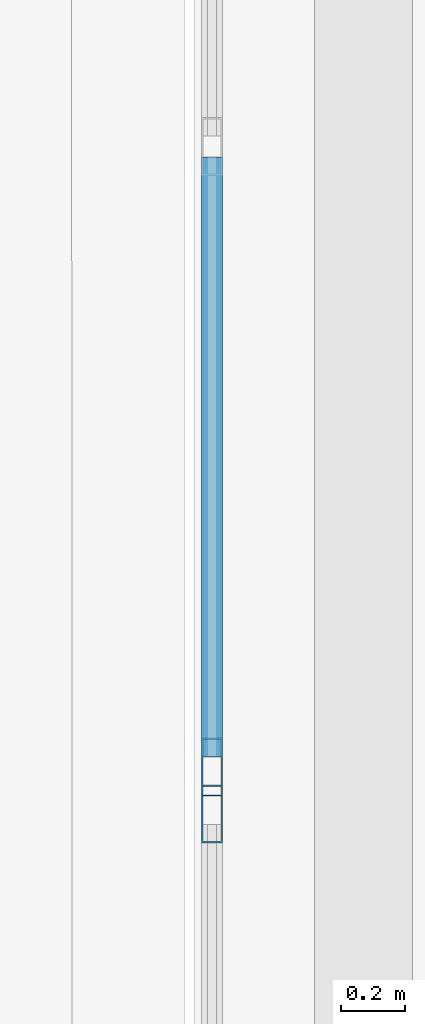
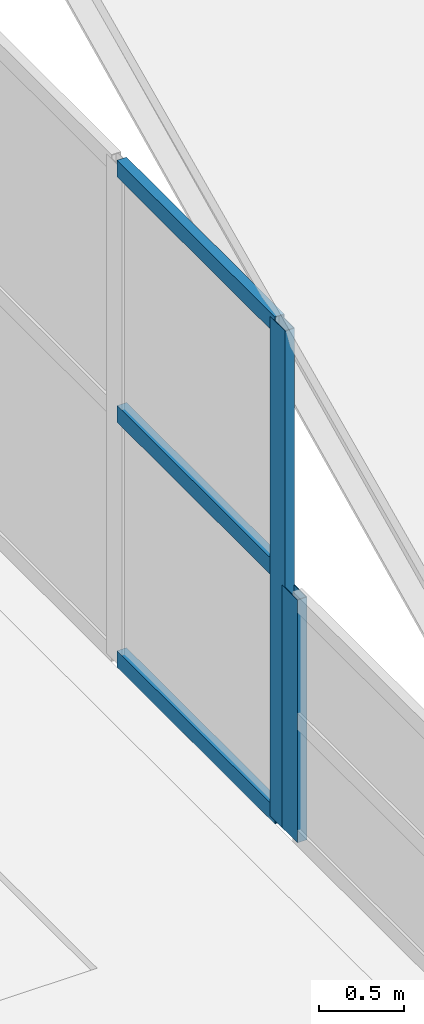
# One storey, part 33 of 184: 5 members, 2 elements without a shape of their own.
"""IFC4 building model written with IfcOpenShell, lengths in metres."""

import ifcopenshell
import ifcopenshell.guid

model = None  # the IFC model being written
_history = None  # IfcOwnerHistory: only IFC2X3 demands one
_inside = {}  # id of a spatial element -> (the spatial element, [elements in it])
_under = {}  # id of a project, library or spatial element -> (it, [spatial elements below it])
_declared = {}  # id of a project -> (the project, [libraries it declares])
_typed = {}  # id of a type object -> (the type object, [elements of that type])
_made_of = {}  # id of a material, layer set ... -> (it, [elements and type objects made of it])


def new_model(schema):
    """Start an empty IFC model of exactly this schema.

    Asked for "IFC4X3", IfcOpenShell would pick the latest addendum, in which some entities
    have other attributes; the version numbers below select the first issue.
    IFC2X3 requires an IfcOwnerHistory on every rooted entity: one is made here for all.
    """
    global model, _history
    if schema == "IFC4X3":
        model = ifcopenshell.file(schema_version=(4, 3, 0, 0))
    else:
        model = ifcopenshell.file(schema=schema)
    _inside.clear()
    _under.clear()
    _declared.clear()
    _typed.clear()
    _made_of.clear()
    _history = None
    if model.schema == "IFC2X3":
        org = make("IfcOrganization", Name="unknown")
        user = make(
            "IfcPersonAndOrganization",
            ThePerson=make("IfcPerson", FamilyName="unknown"),
            TheOrganization=org,
        )
        app = make(
            "IfcApplication",
            ApplicationDeveloper=org,
            Version="unknown",
            ApplicationFullName="unknown",
            ApplicationIdentifier="unknown",
        )
        _history = make(
            "IfcOwnerHistory",
            OwningUser=user,
            OwningApplication=app,
            ChangeAction="ADDED",
            CreationDate=0,
        )
    return model


def make(cls, **values):
    """One entity of the class cls with the attributes given. An attribute that is None is left unset."""
    return model.create_entity(
        cls, **{name: value for name, value in values.items() if value is not None}
    )


def rooted(cls, **values):
    """An entity with a GlobalId (a new one), such as an element, a storey or a relation."""
    return make(cls, GlobalId=ifcopenshell.guid.new(), OwnerHistory=_history, **values)


def si_unit(unit_type, name, prefix=None):
    """IfcSIUnit, for example si_unit("LENGTHUNIT", "METRE", prefix="MILLI")."""
    return make("IfcSIUnit", UnitType=unit_type, Prefix=prefix, Name=name)


def assignment(units):
    """IfcUnitAssignment: the units of a project."""
    return None if units is None else make("IfcUnitAssignment", Units=units)


def point(xyz):
    """IfcCartesianPoint."""
    return None if xyz is None else make("IfcCartesianPoint", Coordinates=xyz)


def direction(xyz):
    """IfcDirection."""
    return None if xyz is None else make("IfcDirection", DirectionRatios=xyz)


def frame(location, z_axis=None, x_axis=None):
    """IfcAxis2Placement3D, a coordinate frame: its origin and axes. An axis left out is left unset."""
    return make(
        "IfcAxis2Placement3D",
        Location=point(location),
        Axis=direction(z_axis),
        RefDirection=direction(x_axis),
    )


def frame_2d(location, x_axis=None):
    """IfcAxis2Placement2D, a coordinate frame in the plane: its origin and x axis."""
    return make(
        "IfcAxis2Placement2D", Location=point(location), RefDirection=direction(x_axis)
    )


def origin():
    """The frame at (0, 0, 0) with its axes left unset."""
    return frame((0.0, 0.0, 0.0))


def origin_2d():
    """The frame at (0, 0) in the plane with its x axis left unset."""
    return frame_2d((0.0, 0.0))


def place(relative_to, where):
    """IfcLocalPlacement: puts the frame where relative to a parent placement (None: the world)."""
    return make(
        "IfcLocalPlacement", PlacementRelTo=relative_to, RelativePlacement=where
    )


def context(
    kind, dimensions, precision=None, world=None, true_north=None, identifier=None
):
    """IfcGeometricRepresentationContext, for example the 3D "Model" context."""
    return make(
        "IfcGeometricRepresentationContext",
        ContextIdentifier=identifier,
        ContextType=kind,
        CoordinateSpaceDimension=dimensions,
        Precision=precision,
        WorldCoordinateSystem=world,
        TrueNorth=true_north,
    )


def subcontext(parent, identifier, kind, view, scale=None):
    """IfcGeometricRepresentationSubContext, for example "Body" below "Model"."""
    return make(
        "IfcGeometricRepresentationSubContext",
        ContextIdentifier=identifier,
        ContextType=kind,
        ParentContext=parent,
        TargetScale=scale,
        TargetView=view,
    )


def project(units=None, contexts=None):
    """IfcProject with its units and contexts."""
    return rooted(
        "IfcProject",
        Name="project",
        RepresentationContexts=contexts,
        UnitsInContext=assignment(units),
    )


def spatial(cls, under=None, at=None, **own):
    """A site, building, storey or space (cls), placed at a placement, below another one or the project."""
    s = rooted(cls, ObjectPlacement=at, **own)
    if under is not None:
        _under.setdefault(under.id(), (under, []))[1].append(s)
    return s


def profile(cls, at=None, kind="AREA", **sizes):
    """A parametric profile (cls). Its sizes go by their IFC names, for example OverallWidth=200.0."""
    return make(cls, ProfileType=kind, Position=at, **sizes)


def hollow_rectangle(**sizes):
    """IfcRectangleHollowProfileDef."""
    return profile("IfcRectangleHollowProfileDef", **sizes)


def extrude(swept, where, along, depth):
    """IfcExtrudedAreaSolid: the profile swept, set in the frame where, extruded along a direction by depth."""
    return make(
        "IfcExtrudedAreaSolid",
        SweptArea=swept,
        Position=where,
        ExtrudedDirection=direction(along),
        Depth=depth,
    )


def shape(context_of_items, identifier, shape_type, items):
    """IfcShapeRepresentation: the items that make up one representation, for example the "Body"."""
    return make(
        "IfcShapeRepresentation",
        ContextOfItems=context_of_items,
        RepresentationIdentifier=identifier,
        RepresentationType=shape_type,
        Items=items,
    )


def material(Name=None, Category=None):
    """IfcMaterial."""
    return make("IfcMaterial", Name=Name, Category=Category)


def material_profile(
    of_material, cross_section, Name=None, Category=None, Priority=None
):
    """IfcMaterialProfile: a cross section and its material."""
    return make(
        "IfcMaterialProfile",
        Name=Name,
        Material=of_material,
        Profile=cross_section,
        Priority=Priority,
        Category=Category,
    )


def profile_set(profiles, Name=None, composite=None):
    """IfcMaterialProfileSet."""
    return make(
        "IfcMaterialProfileSet",
        Name=Name,
        MaterialProfiles=profiles,
        CompositeProfile=composite,
    )


def made_of(thing, what):
    """Note that an element or type object is made of a material, layer set ...; save() writes the relation."""
    if what is not None:
        _made_of.setdefault(what.id(), (what, []))[1].append(thing)
    return thing


def type_object(cls, material=None, **own):
    """A type object (cls), such as IfcWallType, which elements share."""
    return made_of(rooted(cls, **own), material)


def element(
    cls,
    number,
    at=None,
    inside=None,
    cuts=None,
    type_object=None,
    material=None,
    context=None,
    identifier="Body",
    shape_type=None,
    held_by="IfcProductDefinitionShape",
    body=None,
    shapes=None,
    **own,
):
    """One element of the class cls, such as IfcWall. Its Tag is "e" and its number.

    at: its placement. inside: the storey or other place that contains it. cuts: it is an
    opening in that element (IfcRelVoidsElement). A single representation is given by context,
    identifier, shape_type and body (its items); several are given by shapes. held_by: the class
    of the entity that holds the representations. save() writes the other relations.
    """
    e = rooted(cls, Tag="e%d" % number, ObjectPlacement=at, **own)
    if body is not None:
        shapes = [shape(context, identifier, shape_type, body)]
    if shapes is not None:
        e.Representation = make(held_by, Representations=shapes)
    if inside is not None:
        _inside.setdefault(inside.id(), (inside, []))[1].append(e)
    if cuts is not None:
        rooted(
            "IfcRelVoidsElement", RelatingBuildingElement=cuts, RelatedOpeningElement=e
        )
    if type_object is not None:
        _typed.setdefault(type_object.id(), (type_object, []))[1].append(e)
    return made_of(e, material)


def aggregate(whole, parts):
    """IfcRelAggregates: a whole, such as a stair, and the parts it consists of."""
    return rooted("IfcRelAggregates", RelatingObject=whole, RelatedObjects=parts)


def save(model, path):
    """Write the relations noted so far, then the file.

    IfcRelAggregates (storeys below a building ...), IfcRelContainedInSpatialStructure (elements
    in a storey), IfcRelDefinesByType, IfcRelAssociatesMaterial and IfcRelDeclares: one each for
    every whole, place, type object, material and project.
    """
    for whole, parts in _under.values():
        aggregate(whole, parts)
    for where, things in _inside.values():
        rooted(
            "IfcRelContainedInSpatialStructure",
            RelatedElements=things,
            RelatingStructure=where,
        )
    for kind, things in _typed.values():
        rooted("IfcRelDefinesByType", RelatedObjects=things, RelatingType=kind)
    for what, things in _made_of.values():
        rooted("IfcRelAssociatesMaterial", RelatedObjects=things, RelatingMaterial=what)
    for by, libraries in _declared.values():
        rooted("IfcRelDeclares", RelatingContext=by, RelatedDefinitions=libraries)
    model.write(path)


model = new_model("IFC4")

# Units and contexts
model_context = context("Model", 3, precision=1e-05, world=origin(), true_north=direction((0.0, 1.0)))
body_context = subcontext(model_context, "Body", "Model", "MODEL_VIEW")
ifc_project = project(units=[si_unit("LENGTHUNIT", "METRE"), si_unit("AREAUNIT", "SQUARE_METRE"), si_unit("VOLUMEUNIT", "CUBIC_METRE"), si_unit("PLANEANGLEUNIT", "RADIAN"), si_unit("MASSUNIT", "GRAM", prefix="KILO")], contexts=[model_context])

# Site, building, storey
site_placement = place(None, origin())
site = spatial("IfcSite", under=ifc_project, at=site_placement, CompositionType="ELEMENT")
building_placement = place(site_placement, origin())
building = spatial("IfcBuilding", under=site, at=building_placement, Name="Selatvlak General Hospital", CompositionType="ELEMENT")
storey_placement = place(building_placement, frame((0.0, 0.0, 15.0)))
storey = spatial("IfcBuildingStorey", under=building, at=storey_placement, Name="L03", CompositionType="ELEMENT", Elevation=15.0)

# Curtain wall, member
ifc_material_1 = material(Name="Solar-control Low-E double glazing", Category="glass")
curtain_wall_type = type_object("IfcCurtainWallType", Name="CW-CW-05", PredefinedType="USERDEFINED", material=ifc_material_1)
curtain_wall_1_placement = place(storey_placement, origin())
curtain_wall_1 = element("IfcCurtainWall", 1, at=curtain_wall_1_placement, inside=storey, type_object=curtain_wall_type, Name="Glazed facade curtain wall CW-L03-0723", ObjectType="STICK GLAZING WALL", PredefinedType="USERDEFINED")
ifc_material_2 = material(Name="Dark anodised aluminium mullion", Category="aluminium")
ifc_material_profile_1 = material_profile(ifc_material_2, hollow_rectangle(XDim=0.06494140625, YDim=0.179931640625, WallThickness=0.00439453125, at=origin_2d()), Name="AL-MUL 65x180x4.5")
ifc_profile_set_1 = profile_set([ifc_material_profile_1], Name="Dark anodised aluminium mullion")
member_type_1 = type_object("IfcMemberType", Name="CWM-02", PredefinedType="MULLION", material=ifc_profile_set_1)
member_1_placement = place(storey_placement, frame((22.8798828125, 59.952392578125, 0.0), z_axis=(0.0, 0.0, 1.0), x_axis=(-1.0, 0.0, 0.0)))
member_1 = element("IfcMember", 2, at=member_1_placement, type_object=member_type_1, Name="CW-05 mullion 3", PredefinedType="MULLION", context=body_context, shape_type="SweptSolid", body=[
    extrude(hollow_rectangle(XDim=0.06494140625, YDim=0.179931640625, WallThickness=0.00439453125, at=origin_2d()), origin(), (0.0, 0.0, 1.0), 1.75),
])
aggregate(curtain_wall_1, [member_1])

# Curtain wall, members
curtain_wall_2_placement = place(storey_placement, origin())
curtain_wall_2 = element("IfcCurtainWall", 3, at=curtain_wall_2_placement, inside=storey, type_object=curtain_wall_type, Name="Glazed facade curtain wall CW-L03-0724", ObjectType="STICK GLAZING WALL", PredefinedType="USERDEFINED")
member_2_placement = place(storey_placement, frame((22.8798828125, 60.097412109375, 0.0), z_axis=(0.0, 0.0, 1.0), x_axis=(-1.0, 0.0, 0.0)))
member_2 = element("IfcMember", 4, at=member_2_placement, type_object=member_type_1, Name="CW-05 mullion 1", PredefinedType="MULLION", context=body_context, shape_type="SweptSolid", body=[
    extrude(hollow_rectangle(XDim=0.06494140625, YDim=0.179931640625, WallThickness=0.00439453125, at=origin_2d()), origin(), (0.0, 0.0, 1.0), 3.60009765625),
])
ifc_material_profile_2 = material_profile(ifc_material_2, hollow_rectangle(XDim=0.06494140625, YDim=0.1201171875, WallThickness=0.00390625, at=origin_2d()), Name="AL-TRN 65x120x4")
ifc_profile_set_2 = profile_set([ifc_material_profile_2], Name="Dark anodised aluminium mullion")
member_type_2 = type_object("IfcMemberType", Name="CWT-01", PredefinedType="USERDEFINED", material=ifc_profile_set_2)
member_3_placement = place(storey_placement, frame((22.8798828125, 60.1298828125, 0.032470703125), z_axis=(0.0, 1.0, 0.0), x_axis=(-1.0, 0.0, 0.0)))
member_3 = element("IfcMember", 5, at=member_3_placement, type_object=member_type_2, Name="CW-05 transom 1.1", ObjectType="TRANSOM", PredefinedType="USERDEFINED", context=body_context, shape_type="SweptSolid", body=[
    extrude(hollow_rectangle(XDim=0.06494140625, YDim=0.1201171875, WallThickness=0.00390625, at=origin_2d()), origin(), (0.0, 0.0, 1.0), 1.862548828125),
])
member_4_placement = place(storey_placement, frame((22.8798828125, 60.1298828125, 1.800048828125), z_axis=(0.0, 1.0, 0.0), x_axis=(-1.0, 0.0, 0.0)))
member_4 = element("IfcMember", 6, at=member_4_placement, type_object=member_type_2, Name="CW-05 transom 1.2", ObjectType="TRANSOM", PredefinedType="USERDEFINED", context=body_context, shape_type="SweptSolid", body=[
    extrude(hollow_rectangle(XDim=0.06494140625, YDim=0.1201171875, WallThickness=0.00390625, at=origin_2d()), origin(), (0.0, 0.0, 1.0), 1.862548828125),
])
member_5_placement = place(storey_placement, frame((22.8798828125, 60.1298828125, 3.5673828125), z_axis=(0.0, 1.0, 0.0), x_axis=(-1.0, 0.0, 0.0)))
member_5 = element("IfcMember", 7, at=member_5_placement, type_object=member_type_2, Name="CW-05 transom 1.3", ObjectType="TRANSOM", PredefinedType="USERDEFINED", context=body_context, shape_type="SweptSolid", body=[
    extrude(hollow_rectangle(XDim=0.06494140625, YDim=0.1201171875, WallThickness=0.00390625, at=origin_2d()), origin(), (0.0, 0.0, 1.0), 1.862548828125),
])
aggregate(curtain_wall_2, [member_2, member_3, member_4, member_5])

save(model, "model.ifc")
